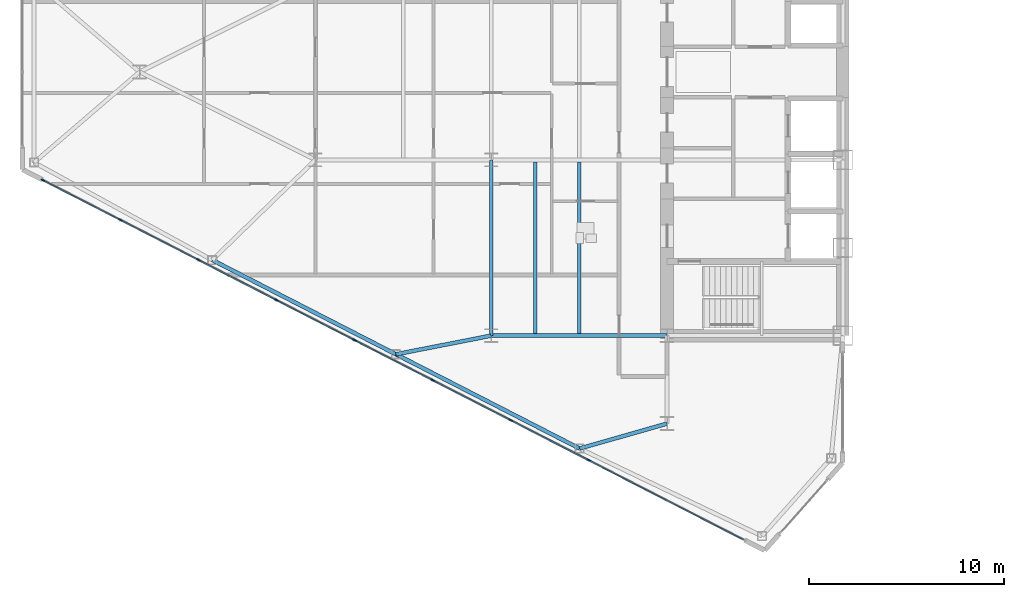
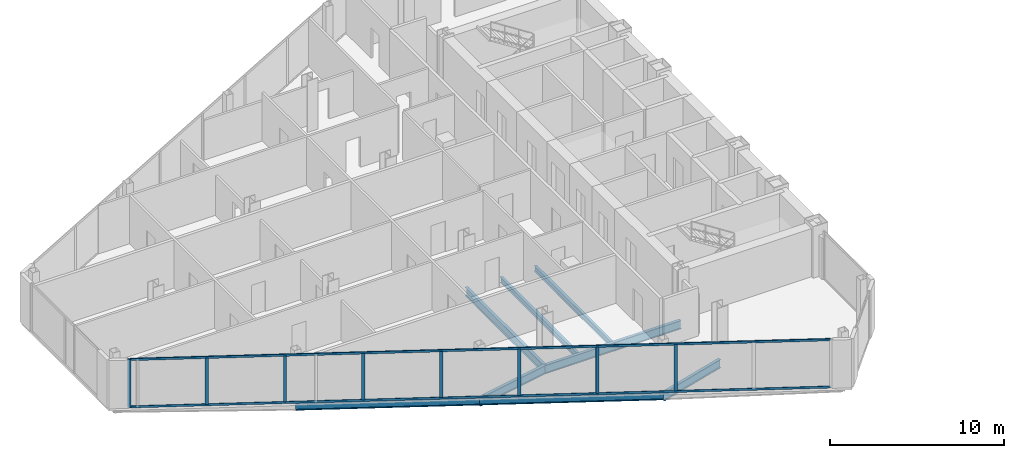
# One storey, part 3 of 24: 10 members, 8 beams, 1 element without a shape of its own.
"""IFC4 building model written with IfcOpenShell, lengths in metres."""

from ifc_helpers import new_model, si_unit, direction, frame, origin, origin_2d, place, context, subcontext, project, spatial, rectangle, i_section, extrude, source, transform, mapped, material, layer, layer_set, material_profile, profile_set, type_object, type_shapes, element, aggregate, save


model = new_model("IFC4")

# Units and contexts
model_context = context("Model", 3, precision=1e-05, world=origin(), true_north=direction((0.0, 1.0)))
body_context = subcontext(model_context, "Body", "Model", "MODEL_VIEW")
ifc_project = project(units=[si_unit("LENGTHUNIT", "METRE"), si_unit("AREAUNIT", "SQUARE_METRE"), si_unit("VOLUMEUNIT", "CUBIC_METRE"), si_unit("PLANEANGLEUNIT", "RADIAN"), si_unit("MASSUNIT", "GRAM", prefix="KILO")], contexts=[model_context])

# Site, building, storey
site_placement = place(None, origin())
site = spatial("IfcSite", under=ifc_project, at=site_placement, CompositionType="ELEMENT")
building_placement = place(site_placement, origin())
building = spatial("IfcBuilding", under=site, at=building_placement, Name="Seokmaru Belvedere", CompositionType="ELEMENT")
storey_placement = place(building_placement, frame((0.0, 0.0, 117.60009765625)))
storey = spatial("IfcBuildingStorey", under=building, at=storey_placement, Name="L31", CompositionType="ELEMENT", Elevation=117.60009765625)

# Beams
ifc_material_1 = material(Name="Steel SM355 (355 MPa)", Category="steel")
ifc_material_profile_1 = material_profile(ifc_material_1, i_section(OverallWidth=0.199951171875, OverallDepth=0.60009765625, WebThickness=0.010986328125, FlangeThickness=0.01708984375, at=origin_2d()), Name="H-600x200x11x17")
ifc_profile_set_1 = profile_set([ifc_material_profile_1], Name="Steel SM355 (355 MPa)")
beam_type_1 = type_object("IfcBeamType", Name="Primary Floor Girder H-600", PredefinedType="BEAM", material=ifc_profile_set_1)
shared_shape_1 = source(origin(), body_context, "Body", "SweptSolid", [
    extrude(i_section(OverallWidth=0.199951171875, OverallDepth=0.60009765625, WebThickness=0.010986328125, FlangeThickness=0.01708984375, at=origin_2d()), origin(), (0.0, 0.0, 1.0), 9.0),
])
for number, where, z_axis, x_axis, name in (
    (1, (-45.5, -13.5, -0.52001953125), (0.0, 1.0, 0.0), (-1.0, 0.0, 0.0), "L31 W Interior Grid Girder 1"),
    (2, (-45.5, -13.5, -0.52001953125), (1.0, 0.0, 0.0), (0.0, 1.0, 0.0), "L31 W Wing Primary Girder 1"),
):
    element("IfcBeam", number, at=place(storey_placement, frame(where, z_axis=z_axis, x_axis=x_axis)), inside=storey, type_object=beam_type_1, Name=name, PredefinedType="BEAM", context=body_context, shape_type="MappedRepresentation", body=[
        mapped(shared_shape_1, transform((0.0, 0.0, 0.0), scale=1.0)),
    ])
ifc_material_profile_2 = material_profile(ifc_material_1, i_section(OverallWidth=0.18505859375, OverallDepth=0.389892578125, WebThickness=0.008056640625, FlangeThickness=0.011962890625, at=origin_2d()), Name="H-390x185x8x12")
ifc_profile_set_2 = profile_set([ifc_material_profile_2], Name="Steel SM355 (355 MPa)")
beam_type_2 = type_object("IfcBeamType", Name="Secondary Floor Joist H-350", PredefinedType="JOIST", material=ifc_profile_set_2)
shared_shape_2 = source(origin(), body_context, "Body", "SweptSolid", [
    extrude(i_section(OverallWidth=0.18505859375, OverallDepth=0.389892578125, WebThickness=0.008056640625, FlangeThickness=0.011962890625, at=origin_2d()), origin(), (0.0, 0.0, 1.0), 8.7900390625),
])
type_shapes(beam_type_2, [shared_shape_2])
for number, where, z_axis, x_axis, name in (
    (3, (-43.25, -13.39501953125, -0.4150390625), (0.0, 1.0, 0.0), (-1.0, 0.0, 0.0), "L31 W Wing Inner Secondary Joist 1"),
    (4, (-41.0, -13.39501953125, -0.4150390625), (0.0, 1.0, 0.0), (-1.0, 0.0, 0.0), "L31 W Secondary Floor Joist 1"),
):
    element("IfcBeam", number, at=place(storey_placement, frame(where, z_axis=z_axis, x_axis=x_axis)), inside=storey, type_object=beam_type_2, Name=name, PredefinedType="JOIST", context=body_context, shape_type="MappedRepresentation", body=[
        mapped(shared_shape_2, transform((0.0, 0.0, 0.0), scale=1.0)),
    ])
ifc_material_profile_3 = material_profile(ifc_material_1, i_section(OverallWidth=0.199951171875, OverallDepth=0.5, WebThickness=0.010009765625, FlangeThickness=0.01611328125, at=origin_2d()), Name="H-500x200x10x16")
ifc_profile_set_3 = profile_set([ifc_material_profile_3], Name="Steel SM355 (355 MPa)")
beam_type_3 = type_object("IfcBeamType", Name="Perimeter Spandrel Beam H-500", PredefinedType="SPANDREL", material=ifc_profile_set_3)
shared_shape_3 = source(origin(), body_context, "Body", "SweptSolid", [
    extrude(i_section(OverallWidth=0.199951171875, OverallDepth=0.5, WebThickness=0.010009765625, FlangeThickness=0.01611328125, at=origin_2d()), origin(), (0.0, 0.0, 1.0), 10.56689453125),
])
type_shapes(beam_type_3, [shared_shape_3])
for number, where, z_axis, x_axis, name in (
    (5, (-40.975830078125, -19.277587890625, -0.47021484375), (-0.889701972758, 0.45654178305, 0.0), (-0.45654178305, -0.889701972758, 0.0), "L31 W Faceted Flank Spandrel S-2"),
    (6, (-50.377197265625, -14.453369140625, -0.47021484375), (-0.889692588006, 0.456560071455, 0.0), (-0.456560071455, -0.889692588006, 0.0), "L31 W Faceted Flank Spandrel S-3"),
):
    element("IfcBeam", number, at=place(storey_placement, frame(where, z_axis=z_axis, x_axis=x_axis)), inside=storey, type_object=beam_type_3, Name=name, PredefinedType="SPANDREL", context=body_context, shape_type="MappedRepresentation", body=[
        mapped(shared_shape_3, transform((0.0, 0.0, 0.0), scale=1.0)),
    ])
shared_shape_4 = source(origin(), body_context, "Body", "SweptSolid", [
    extrude(i_section(OverallWidth=0.199951171875, OverallDepth=0.60009765625, WebThickness=0.010986328125, FlangeThickness=0.01708984375, at=origin_2d()), origin(), (0.0, 0.0, 1.0), 4.654541015625),
])
beam_1_placement = place(storey_placement, frame((-40.975830078125, -19.277587890625, -0.52001953125), z_axis=(0.961593192625, 0.274478654721, 0.0), x_axis=(-0.274478654721, 0.961593192625, 0.0)))
element("IfcBeam", 7, at=beam_1_placement, inside=storey, type_object=beam_type_1, Name="L31 W Flank Radial Floor Girder S-1", PredefinedType="BEAM", context=body_context, shape_type="MappedRepresentation", body=[
    mapped(shared_shape_4, transform((0.0, 0.0, 0.0), scale=1.0)),
])
shared_shape_5 = source(origin(), body_context, "Body", "SweptSolid", [
    extrude(i_section(OverallWidth=0.199951171875, OverallDepth=0.60009765625, WebThickness=0.010986328125, FlangeThickness=0.01708984375, at=origin_2d()), origin(), (0.0, 0.0, 1.0), 4.969482421875),
])
type_shapes(beam_type_1, [shared_shape_1, shared_shape_4, shared_shape_5])
beam_2_placement = place(storey_placement, frame((-50.377197265625, -14.453369140625, -0.52001953125), z_axis=(0.98142544456, 0.19184393858, 0.0), x_axis=(-0.19184393858, 0.98142544456, 0.0)))
element("IfcBeam", 8, at=beam_2_placement, inside=storey, type_object=beam_type_1, Name="L31 W Flank Radial Floor Girder S-2", PredefinedType="BEAM", context=body_context, shape_type="MappedRepresentation", body=[
    mapped(shared_shape_5, transform((0.0, 0.0, 0.0), scale=1.0)),
])

# Curtain wall, members
ifc_material_2 = material(Name="Bronze Triple Insulating Glass", Category="glass")
ifc_layer = layer(ifc_material_2, 0.195068359375)
ifc_layer_set = layer_set([ifc_layer], Name="Bronze Triple Insulating Glass")
curtain_wall_type = type_object("IfcCurtainWallType", Name="Sky-Lobby and Mid-Rise Curtain Wall System CW-4", PredefinedType="NOTDEFINED", material=ifc_layer_set)
curtain_wall_placement = place(storey_placement, origin())
curtain_wall = element("IfcCurtainWall", 9, at=curtain_wall_placement, inside=storey, type_object=curtain_wall_type, Name="L31 Curtain Wall WF5", PredefinedType="NOTDEFINED")
ifc_material_3 = material(Name="Anodised Bronze Aluminium", Category="aluminium")
ifc_material_profile_4 = material_profile(ifc_material_3, rectangle(XDim=0.070068359375, YDim=0.195068359375, at=origin_2d()), Name="CW-M-70x195")
ifc_profile_set_4 = profile_set([ifc_material_profile_4], Name="Anodised Bronze Aluminium")
member_type_1 = type_object("IfcMemberType", Name="Bronze Unitised Mullion 70x195", PredefinedType="MULLION", material=ifc_profile_set_4)
shared_shape_6 = source(origin(), body_context, "Body", "SweptSolid", [
    extrude(rectangle(XDim=0.070068359375, YDim=0.195068359375, at=origin_2d()), origin(), (0.0, 0.0, 1.0), 3.3798828125),
])
member_1_placement = place(storey_placement, frame((-68.44580078125, -5.541015625, 0.0), z_axis=(0.0, 0.0, 1.0), x_axis=(0.456554528263, 0.889695432562, 0.0)))
member_1 = element("IfcMember", 10, at=member_1_placement, type_object=member_type_1, Name="CW:L31:WF5 Mullion 1", PredefinedType="MULLION", context=body_context, shape_type="MappedRepresentation", body=[
    mapped(shared_shape_6, transform((0.0, 0.0, 0.0), scale=1.0)),
])
shared_shape_7 = source(origin(), body_context, "Body", "SweptSolid", [
    extrude(rectangle(XDim=0.070068359375, YDim=0.195068359375, at=origin_2d()), origin(), (0.0, 0.0, 1.0), 3.25),
])
type_shapes(member_type_1, [shared_shape_6, shared_shape_7])
member_2_placement = place(storey_placement, frame((-64.48193359375, -7.574951171875, 0.06494140625), z_axis=(0.0, 0.0, 1.0), x_axis=(0.456554528263, 0.889695432562, 0.0)))
member_2 = element("IfcMember", 11, at=member_2_placement, type_object=member_type_1, Name="CW:L31:WF5 Mullion 2", PredefinedType="MULLION", context=body_context, shape_type="MappedRepresentation", body=[
    mapped(shared_shape_7, transform((0.0, 0.0, 0.0), scale=1.0)),
])
member_3_placement = place(storey_placement, frame((-60.4873046875, -9.625, 0.06494140625), z_axis=(0.0, 0.0, 1.0), x_axis=(0.456554528263, 0.889695432562, 0.0)))
member_3 = element("IfcMember", 12, at=member_3_placement, type_object=member_type_1, Name="CW:L31:WF5 Mullion 3", PredefinedType="MULLION", context=body_context, shape_type="MappedRepresentation", body=[
    mapped(shared_shape_7, transform((0.0, 0.0, 0.0), scale=1.0)),
])
member_4_placement = place(storey_placement, frame((-56.4921875, -11.675048828125, 0.06494140625), z_axis=(0.0, 0.0, 1.0), x_axis=(0.456554528263, 0.889695432562, 0.0)))
member_4 = element("IfcMember", 13, at=member_4_placement, type_object=member_type_1, Name="CW:L31:WF5 Mullion 4", PredefinedType="MULLION", context=body_context, shape_type="MappedRepresentation", body=[
    mapped(shared_shape_7, transform((0.0, 0.0, 0.0), scale=1.0)),
])
member_5_placement = place(storey_placement, frame((-52.497314453125, -13.72509765625, 0.06494140625), z_axis=(0.0, 0.0, 1.0), x_axis=(0.456554528263, 0.889695432562, 0.0)))
member_5 = element("IfcMember", 14, at=member_5_placement, type_object=member_type_1, Name="CW:L31:WF5 Mullion 5", PredefinedType="MULLION", context=body_context, shape_type="MappedRepresentation", body=[
    mapped(shared_shape_7, transform((0.0, 0.0, 0.0), scale=1.0)),
])
member_6_placement = place(storey_placement, frame((-48.502685546875, -15.77490234375, 0.06494140625), z_axis=(0.0, 0.0, 1.0), x_axis=(0.456554528263, 0.889695432562, 0.0)))
member_6 = element("IfcMember", 15, at=member_6_placement, type_object=member_type_1, Name="CW:L31:WF5 Mullion 6", PredefinedType="MULLION", context=body_context, shape_type="MappedRepresentation", body=[
    mapped(shared_shape_7, transform((0.0, 0.0, 0.0), scale=1.0)),
])
member_7_placement = place(storey_placement, frame((-44.5078125, -17.824951171875, 0.06494140625), z_axis=(0.0, 0.0, 1.0), x_axis=(0.456554528263, 0.889695432562, 0.0)))
member_7 = element("IfcMember", 16, at=member_7_placement, type_object=member_type_1, Name="CW:L31:WF5 Mullion 7", PredefinedType="MULLION", context=body_context, shape_type="MappedRepresentation", body=[
    mapped(shared_shape_7, transform((0.0, 0.0, 0.0), scale=1.0)),
])
member_8_placement = place(storey_placement, frame((-40.5126953125, -19.875, 0.06494140625), z_axis=(0.0, 0.0, 1.0), x_axis=(0.456554528263, 0.889695432562, 0.0)))
member_8 = element("IfcMember", 17, at=member_8_placement, type_object=member_type_1, Name="CW:L31:WF5 Mullion 8", PredefinedType="MULLION", context=body_context, shape_type="MappedRepresentation", body=[
    mapped(shared_shape_7, transform((0.0, 0.0, 0.0), scale=1.0)),
])
ifc_material_profile_5 = material_profile(ifc_material_3, rectangle(XDim=0.06494140625, YDim=0.14990234375, at=origin_2d()), Name="CW-T-65x150")
ifc_profile_set_5 = profile_set([ifc_material_profile_5], Name="Anodised Bronze Aluminium")
member_type_2 = type_object("IfcMemberType", Name="Bronze Unitised Transom 65x150", PredefinedType="USERDEFINED", material=ifc_profile_set_5)
shared_shape_8 = source(origin(), body_context, "Body", "SweptSolid", [
    extrude(rectangle(XDim=0.06494140625, YDim=0.14990234375, at=origin_2d()), origin(), (0.0, 0.0, 1.0), 40.271240234375),
])
type_shapes(member_type_2, [shared_shape_8])
member_9_placement = place(storey_placement, frame((-68.41455078125, -5.556884765625, 0.032470703125), z_axis=(0.889693089107, -0.456559094965, 0.0), x_axis=(0.456559094965, 0.889693089107, 0.0)))
member_9 = element("IfcMember", 18, at=member_9_placement, type_object=member_type_2, Name="CW:L31:WF5 Continuous Transom 1", ObjectType="TRANSOM", PredefinedType="USERDEFINED", context=body_context, shape_type="MappedRepresentation", body=[
    mapped(shared_shape_8, transform((0.0, 0.0, 0.0), scale=1.0)),
])
member_10_placement = place(storey_placement, frame((-68.41455078125, -5.556884765625, 3.347412109375), z_axis=(0.889693089107, -0.456559094965, 0.0), x_axis=(0.456559094965, 0.889693089107, 0.0)))
member_10 = element("IfcMember", 19, at=member_10_placement, type_object=member_type_2, Name="CW:L31:WF5 Continuous Transom 2", ObjectType="TRANSOM", PredefinedType="USERDEFINED", context=body_context, shape_type="MappedRepresentation", body=[
    mapped(shared_shape_8, transform((0.0, 0.0, 0.0), scale=1.0)),
])
aggregate(curtain_wall, [member_1, member_2, member_3, member_4, member_5, member_6, member_7, member_8, member_9, member_10])

save(model, "model.ifc")
